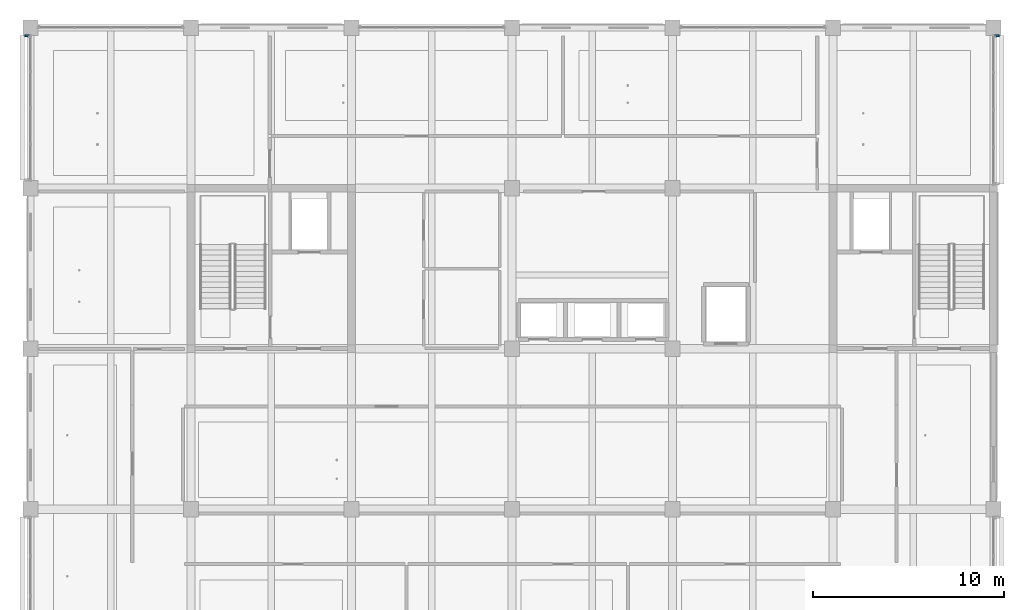
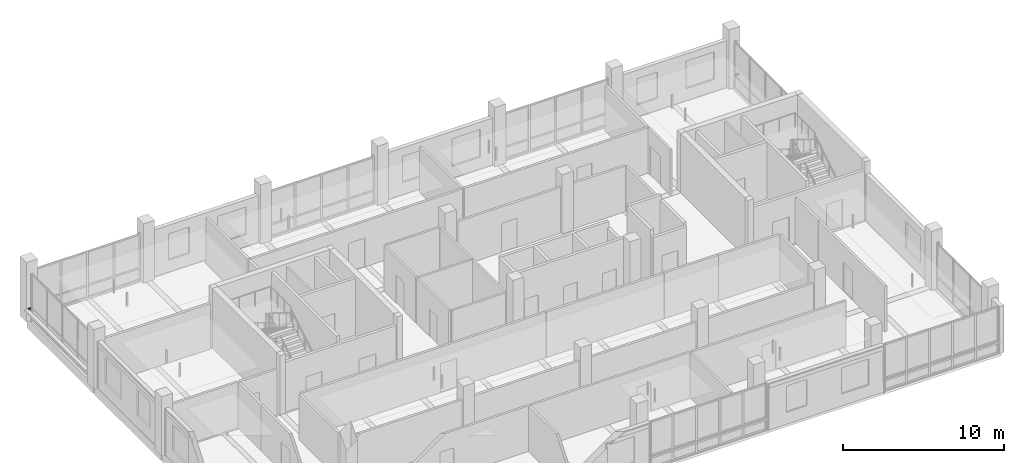
# One storey, part 21 of 34: 2 discrete accessories.
"""IFC4 building model written with IfcOpenShell, lengths in metres."""

from ifc_helpers import new_model, si_unit, direction, frame, origin, origin_2d, place, context, subcontext, project, spatial, rectangle, extrude, material, type_object, element, save


model = new_model("IFC4")

# Units and contexts
model_context = context("Model", 3, precision=1e-05, world=origin(), true_north=direction((0.0, 1.0)))
body_context = subcontext(model_context, "Body", "Model", "MODEL_VIEW")
ifc_project = project(units=[si_unit("LENGTHUNIT", "METRE"), si_unit("AREAUNIT", "SQUARE_METRE"), si_unit("VOLUMEUNIT", "CUBIC_METRE"), si_unit("PLANEANGLEUNIT", "RADIAN"), si_unit("MASSUNIT", "GRAM", prefix="KILO")], contexts=[model_context])

# Site, building, storey
site_placement = place(None, origin())
site = spatial("IfcSite", under=ifc_project, at=site_placement, CompositionType="ELEMENT")
building_placement = place(site_placement, origin())
building = spatial("IfcBuilding", under=site, at=building_placement, Name="Telukmera Botanical Conservatory", CompositionType="ELEMENT")
storey_placement = place(building_placement, frame((0.0, 0.0, 37.5)))
storey = spatial("IfcBuildingStorey", under=building, at=storey_placement, Name="L08", CompositionType="ELEMENT", Elevation=37.5)

# Discrete accessories
ifc_material = material(Name="Steel S355", Category="steel")
discrete_accessory_type = type_object("IfcDiscreteAccessoryType", Name="Structural Steel Facade Outrigger Fin Bracket", PredefinedType="BRACKET", material=ifc_material)
for number, where, z_axis, x_axis, name in (
    (1, (50.2099609375, 42.367919921875, 0.8798828125), (0.0, 0.0, 1.0), (0.0, 1.0, 0.0), "Facade Outrigger Bracket V4:L08:W4 B"),
    (2, (100.989990234375, 42.367919921875, 0.8798828125), (0.0, 0.0, 1.0), (0.0, 1.0, 0.0), "Facade Outrigger Bracket V4:L08:E4 B"),
):
    element("IfcDiscreteAccessory", number, at=place(storey_placement, frame(where, z_axis=z_axis, x_axis=x_axis)), inside=storey, type_object=discrete_accessory_type, Name=name, PredefinedType="BRACKET", context=body_context, shape_type="SweptSolid", body=[
        extrude(rectangle(XDim=0.10009765625, YDim=0.239990234375, at=origin_2d()), origin(), (0.0, 0.0, 1.0), 0.139892578125),
    ])

save(model, "model.ifc")
